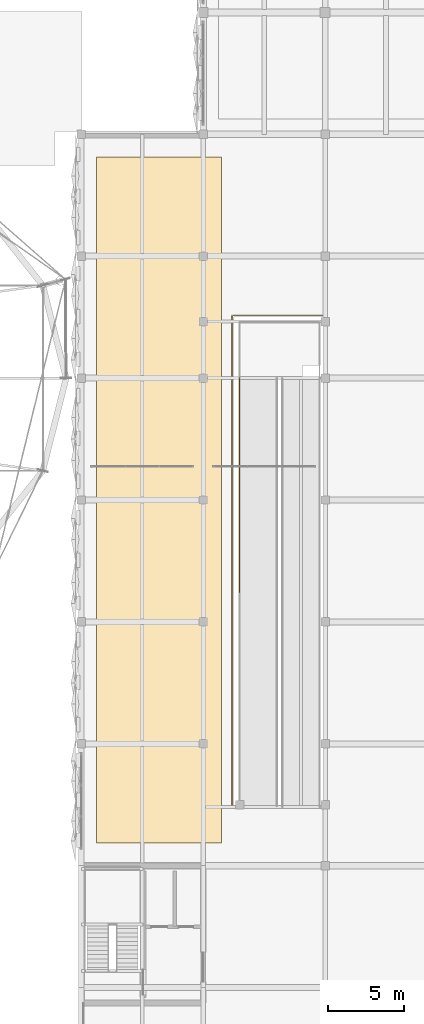
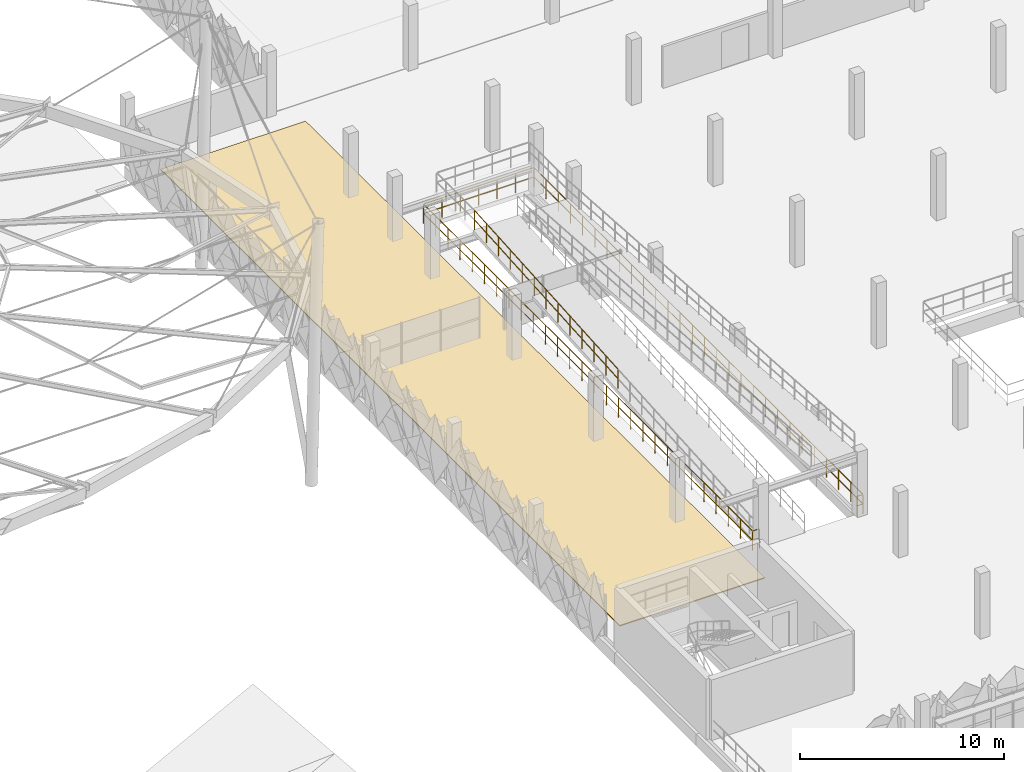
# One storey, part 90 of 96: 2 railings, 1 covering.
"""IFC4 building model written with IfcOpenShell, lengths in metres."""

from ifc_helpers import new_model, si_unit, derived_unit, direction, frame, origin, origin_2d, place, context, subcontext, project, spatial, polyline, circle, outline, extrude, material, layer, layer_set, type_object, element, save


model = new_model("IFC4")

# Units and contexts
model_context = context("Model", 3, precision=1e-05, world=origin(), true_north=direction((0.0, 1.0)))
body_context = subcontext(model_context, "Body", "Model", "MODEL_VIEW")
ifc_project = project(units=[si_unit("LENGTHUNIT", "METRE"), si_unit("AREAUNIT", "SQUARE_METRE"), si_unit("VOLUMEUNIT", "CUBIC_METRE"), si_unit("PLANEANGLEUNIT", "RADIAN"), si_unit("MASSUNIT", "GRAM", prefix="KILO"), si_unit("THERMODYNAMICTEMPERATUREUNIT", "KELVIN"), derived_unit("THERMALTRANSMITTANCEUNIT", [(si_unit("POWERUNIT", "WATT"), 1), (si_unit("AREAUNIT", "SQUARE_METRE"), -1), (si_unit("THERMODYNAMICTEMPERATUREUNIT", "KELVIN"), -1)])], contexts=[model_context])

# Site, building, storey
site_placement = place(None, origin())
site = spatial("IfcSite", under=ifc_project, at=site_placement, CompositionType="ELEMENT")
building_placement = place(site_placement, origin())
building = spatial("IfcBuilding", under=site, at=building_placement, Name="Haiyu Intermodal Mobility Hub", CompositionType="ELEMENT")
storey_placement = place(building_placement, frame((0.0, 0.0, 9.5)))
storey = spatial("IfcBuildingStorey", under=building, at=storey_placement, Name="L02", CompositionType="ELEMENT", Elevation=9.5)

# Covering
ifc_material_1 = material(Name="Anodised aluminium 6063-T6", Category="aluminium")
ifc_layer = layer(ifc_material_1, 0.06005859375)
ifc_layer_set = layer_set([ifc_layer], Name="Anodised aluminium 6063-T6")
covering_type = type_object("IfcCoveringType", Name="COV-CV02", PredefinedType="CLADDING", material=ifc_layer_set)
covering_placement = place(storey_placement, origin())
element("IfcCovering", 1, at=covering_placement, inside=storey, type_object=covering_type, Name="COV-FLR-005", PredefinedType="CLADDING", context=body_context, shape_type="SweptSolid", body=[
    extrude(outline(polyline([(155.0, 33.5), (163.199951171875, 33.5), (163.199951171875, 78.5), (155.0, 78.5), (155.0, 33.5)])), origin(), (0.0, 0.0, 1.0), 0.06005859375),
])

# Railings
ifc_material_2 = material(Name="Steel Q355C", Category="steel")
railing_type = type_object("IfcRailingType", Name="RAL-GR03", PredefinedType="GUARDRAIL", material=ifc_material_2)
railing_1_placement = place(storey_placement, frame((164.3798828125, 49.949951171875, 0.97509765625)))
element("IfcRailing", 2, at=railing_1_placement, inside=storey, type_object=railing_type, Name="RAL-RMP-BIKE-L02-F1WB", PredefinedType="GUARDRAIL", context=body_context, shape_type="SweptSolid", body=[
    extrude(circle(Radius=0.02392578125, at=origin_2d()), frame((0.0, 0.030029296875, 1.157958984375), z_axis=(0.0, 0.997601562369, 0.069217936689), x_axis=(-1.0, 0.0, 0.0)), (0.0, 0.0, 1.0), 14.02392578125),
    extrude(circle(Radius=0.02392578125, at=origin_2d()), frame((0.0, 0.037109375, 0.592529296875), z_axis=(0.0, 0.997601562369, 0.069217936689), x_axis=(-1.0, 0.0, 0.0)), (0.0, 0.0, 1.0), 1.09912109375),
    extrude(circle(Radius=0.02392578125, at=origin_2d()), frame((0.0, 1.2080078125, 0.673828125), z_axis=(0.0, 0.997601562369, 0.069217936689), x_axis=(-1.0, 0.0, 0.0)), (0.0, 0.0, 1.0), 1.09912109375),
    extrude(circle(Radius=0.02392578125, at=origin_2d()), frame((0.0, 2.37890625, 0.755126953125), z_axis=(0.0, 0.997601562369, 0.069217936689), x_axis=(-1.0, 0.0, 0.0)), (0.0, 0.0, 1.0), 1.09912109375),
    extrude(circle(Radius=0.02392578125, at=origin_2d()), frame((0.0, 3.5498046875, 0.836181640625), z_axis=(0.0, 0.997601562369, 0.069217936689), x_axis=(-1.0, 0.0, 0.0)), (0.0, 0.0, 1.0), 1.09912109375),
    extrude(circle(Radius=0.02392578125, at=origin_2d()), frame((0.0, 4.720458984375, 0.91748046875), z_axis=(0.0, 0.997601562369, 0.069217936689), x_axis=(-1.0, 0.0, 0.0)), (0.0, 0.0, 1.0), 1.09912109375),
    extrude(circle(Radius=0.02392578125, at=origin_2d()), frame((0.0, 5.891357421875, 0.998779296875), z_axis=(0.0, 0.997601562369, 0.069217936689), x_axis=(-1.0, 0.0, 0.0)), (0.0, 0.0, 1.0), 1.09912109375),
    extrude(circle(Radius=0.02392578125, at=origin_2d()), frame((0.0, 7.062255859375, 1.080078125), z_axis=(0.0, 0.997601562369, 0.069217936689), x_axis=(-1.0, 0.0, 0.0)), (0.0, 0.0, 1.0), 1.09912109375),
    extrude(circle(Radius=0.02392578125, at=origin_2d()), frame((0.0, 8.233154296875, 1.1611328125), z_axis=(0.0, 0.997601562369, 0.069217936689), x_axis=(-1.0, 0.0, 0.0)), (0.0, 0.0, 1.0), 1.09912109375),
    extrude(circle(Radius=0.02392578125, at=origin_2d()), frame((0.0, 9.40380859375, 1.242431640625), z_axis=(0.0, 0.997601562369, 0.069217936689), x_axis=(-1.0, 0.0, 0.0)), (0.0, 0.0, 1.0), 1.09912109375),
    extrude(circle(Radius=0.02392578125, at=origin_2d()), frame((0.0, 10.57470703125, 1.32373046875), z_axis=(0.0, 0.997601562369, 0.069217936689), x_axis=(-1.0, 0.0, 0.0)), (0.0, 0.0, 1.0), 1.09912109375),
    extrude(circle(Radius=0.02392578125, at=origin_2d()), frame((0.0, 11.74560546875, 1.405029296875), z_axis=(0.0, 0.997601562369, 0.069217936689), x_axis=(-1.0, 0.0, 0.0)), (0.0, 0.0, 1.0), 1.09912109375),
    extrude(circle(Radius=0.02392578125, at=origin_2d()), frame((0.0, 12.91650390625, 1.486083984375), z_axis=(0.0, 0.997601562369, 0.069217936689), x_axis=(-1.0, 0.0, 0.0)), (0.0, 0.0, 1.0), 1.09912109375),
    extrude(circle(Radius=0.02099609375, at=origin_2d()), origin(), (0.0, 0.0, 1.0), 1.123779296875),
    extrude(circle(Radius=0.02099609375, at=origin_2d()), frame((0.0, 1.1708984375, 0.081298828125)), (0.0, 0.0, 1.0), 1.123779296875),
    extrude(circle(Radius=0.02099609375, at=origin_2d()), frame((0.0, 2.341796875, 0.16259765625)), (0.0, 0.0, 1.0), 1.123779296875),
    extrude(circle(Radius=0.02099609375, at=origin_2d()), frame((0.0, 3.512451171875, 0.24365234375)), (0.0, 0.0, 1.0), 1.123779296875),
    extrude(circle(Radius=0.02099609375, at=origin_2d()), frame((0.0, 4.683349609375, 0.324951171875)), (0.0, 0.0, 1.0), 1.123779296875),
    extrude(circle(Radius=0.02099609375, at=origin_2d()), frame((0.0, 5.854248046875, 0.40625)), (0.0, 0.0, 1.0), 1.123779296875),
    extrude(circle(Radius=0.02099609375, at=origin_2d()), frame((0.0, 7.02490234375, 0.4873046875)), (0.0, 0.0, 1.0), 1.123779296875),
    extrude(circle(Radius=0.02099609375, at=origin_2d()), frame((0.0, 8.19580078125, 0.568603515625)), (0.0, 0.0, 1.0), 1.123779296875),
    extrude(circle(Radius=0.02099609375, at=origin_2d()), frame((0.0, 9.36669921875, 0.64990234375)), (0.0, 0.0, 1.0), 1.123779296875),
    extrude(circle(Radius=0.02099609375, at=origin_2d()), frame((0.0, 10.53759765625, 0.731201171875)), (0.0, 0.0, 1.0), 1.123779296875),
    extrude(circle(Radius=0.02099609375, at=origin_2d()), frame((0.0, 11.70849609375, 0.8125)), (0.0, 0.0, 1.0), 1.123779296875),
    extrude(circle(Radius=0.02099609375, at=origin_2d()), frame((0.0, 12.879150390625, 0.8935546875)), (0.0, 0.0, 1.0), 1.123779296875),
    extrude(circle(Radius=0.02099609375, at=origin_2d()), frame((0.0, 14.050048828125, 0.974853515625)), (0.0, 0.0, 1.0), 1.123779296875),
])
railing_2_placement = place(storey_placement, frame((164.260009765625, 35.8798828125, 0.0)))
element("IfcRailing", 3, at=railing_2_placement, inside=storey, type_object=railing_type, Name="RAL-BRMP-L02", PredefinedType="GUARDRAIL", context=body_context, shape_type="SweptSolid", body=[
    extrude(circle(Radius=0.02392578125, at=origin_2d()), frame((-0.030029296875, 0.0, 1.15576171875), z_axis=(-1.0, 0.0, 0.0), x_axis=(0.0, -1.0, 0.0)), (0.0, 0.0, 1.0), 0.320068359375),
    extrude(circle(Radius=0.02392578125, at=origin_2d()), frame((-0.037353515625, 0.0, 0.58984375), z_axis=(-1.0, 0.0, 0.0), x_axis=(0.0, -1.0, 0.0)), (0.0, 0.0, 1.0), 0.305419921875),
    extrude(circle(Radius=0.02392578125, at=origin_2d()), frame((-0.380126953125, 0.030029296875, 1.15576171875), z_axis=(0.0, 1.0, 0.0), x_axis=(-1.0, 0.0, 0.0)), (0.0, 0.0, 1.0), 32.18017578125),
    extrude(circle(Radius=0.02392578125, at=origin_2d()), frame((-0.380126953125, 0.037353515625, 0.58984375), z_axis=(0.0, 1.0, 0.0), x_axis=(-1.0, 0.0, 0.0)), (0.0, 0.0, 1.0), 1.119384765625),
    extrude(circle(Radius=0.02392578125, at=origin_2d()), frame((-0.380126953125, 1.2314453125, 0.58984375), z_axis=(0.0, 1.0, 0.0), x_axis=(-1.0, 0.0, 0.0)), (0.0, 0.0, 1.0), 1.119384765625),
    extrude(circle(Radius=0.02392578125, at=origin_2d()), frame((-0.380126953125, 2.425537109375, 0.58984375), z_axis=(0.0, 1.0, 0.0), x_axis=(-1.0, 0.0, 0.0)), (0.0, 0.0, 1.0), 1.119384765625),
    extrude(circle(Radius=0.02392578125, at=origin_2d()), frame((-0.380126953125, 3.61962890625, 0.58984375), z_axis=(0.0, 1.0, 0.0), x_axis=(-1.0, 0.0, 0.0)), (0.0, 0.0, 1.0), 1.119384765625),
    extrude(circle(Radius=0.02392578125, at=origin_2d()), frame((-0.380126953125, 4.813720703125, 0.58984375), z_axis=(0.0, 1.0, 0.0), x_axis=(-1.0, 0.0, 0.0)), (0.0, 0.0, 1.0), 1.119384765625),
    extrude(circle(Radius=0.02392578125, at=origin_2d()), frame((-0.380126953125, 6.0078125, 0.58984375), z_axis=(0.0, 1.0, 0.0), x_axis=(-1.0, 0.0, 0.0)), (0.0, 0.0, 1.0), 1.119384765625),
    extrude(circle(Radius=0.02392578125, at=origin_2d()), frame((-0.380126953125, 7.201904296875, 0.58984375), z_axis=(0.0, 1.0, 0.0), x_axis=(-1.0, 0.0, 0.0)), (0.0, 0.0, 1.0), 1.119384765625),
    extrude(circle(Radius=0.02392578125, at=origin_2d()), frame((-0.380126953125, 8.39599609375, 0.58984375), z_axis=(0.0, 1.0, 0.0), x_axis=(-1.0, 0.0, 0.0)), (0.0, 0.0, 1.0), 1.119384765625),
    extrude(circle(Radius=0.02392578125, at=origin_2d()), frame((-0.380126953125, 9.58984375, 0.58984375), z_axis=(0.0, 1.0, 0.0), x_axis=(-1.0, 0.0, 0.0)), (0.0, 0.0, 1.0), 1.119384765625),
    extrude(circle(Radius=0.02392578125, at=origin_2d()), frame((-0.380126953125, 10.783935546875, 0.58984375), z_axis=(0.0, 1.0, 0.0), x_axis=(-1.0, 0.0, 0.0)), (0.0, 0.0, 1.0), 1.119384765625),
    extrude(circle(Radius=0.02392578125, at=origin_2d()), frame((-0.380126953125, 11.97802734375, 0.58984375), z_axis=(0.0, 1.0, 0.0), x_axis=(-1.0, 0.0, 0.0)), (0.0, 0.0, 1.0), 1.119384765625),
    extrude(circle(Radius=0.02392578125, at=origin_2d()), frame((-0.380126953125, 13.172119140625, 0.58984375), z_axis=(0.0, 1.0, 0.0), x_axis=(-1.0, 0.0, 0.0)), (0.0, 0.0, 1.0), 1.119384765625),
    extrude(circle(Radius=0.02392578125, at=origin_2d()), frame((-0.380126953125, 14.3662109375, 0.58984375), z_axis=(0.0, 1.0, 0.0), x_axis=(-1.0, 0.0, 0.0)), (0.0, 0.0, 1.0), 1.119384765625),
    extrude(circle(Radius=0.02392578125, at=origin_2d()), frame((-0.380126953125, 15.560302734375, 0.58984375), z_axis=(0.0, 1.0, 0.0), x_axis=(-1.0, 0.0, 0.0)), (0.0, 0.0, 1.0), 1.119384765625),
    extrude(circle(Radius=0.02392578125, at=origin_2d()), frame((-0.380126953125, 16.75439453125, 0.58984375), z_axis=(0.0, 1.0, 0.0), x_axis=(-1.0, 0.0, 0.0)), (0.0, 0.0, 1.0), 1.119384765625),
    extrude(circle(Radius=0.02392578125, at=origin_2d()), frame((-0.380126953125, 17.948486328125, 0.58984375), z_axis=(0.0, 1.0, 0.0), x_axis=(-1.0, 0.0, 0.0)), (0.0, 0.0, 1.0), 1.119384765625),
    extrude(circle(Radius=0.02392578125, at=origin_2d()), frame((-0.380126953125, 19.142578125, 0.58984375), z_axis=(0.0, 1.0, 0.0), x_axis=(-1.0, 0.0, 0.0)), (0.0, 0.0, 1.0), 1.119384765625),
    extrude(circle(Radius=0.02392578125, at=origin_2d()), frame((-0.380126953125, 20.336669921875, 0.58984375), z_axis=(0.0, 1.0, 0.0), x_axis=(-1.0, 0.0, 0.0)), (0.0, 0.0, 1.0), 1.119384765625),
    extrude(circle(Radius=0.02392578125, at=origin_2d()), frame((-0.380126953125, 21.53076171875, 0.58984375), z_axis=(0.0, 1.0, 0.0), x_axis=(-1.0, 0.0, 0.0)), (0.0, 0.0, 1.0), 1.119384765625),
    extrude(circle(Radius=0.02392578125, at=origin_2d()), frame((-0.380126953125, 22.724853515625, 0.58984375), z_axis=(0.0, 1.0, 0.0), x_axis=(-1.0, 0.0, 0.0)), (0.0, 0.0, 1.0), 1.119384765625),
    extrude(circle(Radius=0.02392578125, at=origin_2d()), frame((-0.380126953125, 23.9189453125, 0.58984375), z_axis=(0.0, 1.0, 0.0), x_axis=(-1.0, 0.0, 0.0)), (0.0, 0.0, 1.0), 1.119384765625),
    extrude(circle(Radius=0.02392578125, at=origin_2d()), frame((-0.380126953125, 25.113037109375, 0.58984375), z_axis=(0.0, 1.0, 0.0), x_axis=(-1.0, 0.0, 0.0)), (0.0, 0.0, 1.0), 1.119384765625),
    extrude(circle(Radius=0.02392578125, at=origin_2d()), frame((-0.380126953125, 26.30712890625, 0.58984375), z_axis=(0.0, 1.0, 0.0), x_axis=(-1.0, 0.0, 0.0)), (0.0, 0.0, 1.0), 1.119384765625),
    extrude(circle(Radius=0.02392578125, at=origin_2d()), frame((-0.380126953125, 27.501220703125, 0.58984375), z_axis=(0.0, 1.0, 0.0), x_axis=(-1.0, 0.0, 0.0)), (0.0, 0.0, 1.0), 1.119384765625),
    extrude(circle(Radius=0.02392578125, at=origin_2d()), frame((-0.380126953125, 28.6953125, 0.58984375), z_axis=(0.0, 1.0, 0.0), x_axis=(-1.0, 0.0, 0.0)), (0.0, 0.0, 1.0), 1.119384765625),
    extrude(circle(Radius=0.02392578125, at=origin_2d()), frame((-0.380126953125, 29.889404296875, 0.58984375), z_axis=(0.0, 1.0, 0.0), x_axis=(-1.0, 0.0, 0.0)), (0.0, 0.0, 1.0), 1.119384765625),
    extrude(circle(Radius=0.02392578125, at=origin_2d()), frame((-0.380126953125, 31.08349609375, 0.58984375), z_axis=(0.0, 1.0, 0.0), x_axis=(-1.0, 0.0, 0.0)), (0.0, 0.0, 1.0), 1.119384765625),
    extrude(circle(Radius=0.02392578125, at=origin_2d()), frame((-0.35009765625, 32.240234375, 1.15576171875), z_axis=(1.0, 0.0, 0.0), x_axis=(0.0, 1.0, 0.0)), (0.0, 0.0, 1.0), 6.18017578125),
    extrude(circle(Radius=0.02392578125, at=origin_2d()), frame((-0.3427734375, 32.240234375, 0.58984375), z_axis=(1.0, 0.0, 0.0), x_axis=(0.0, 1.0, 0.0)), (0.0, 0.0, 1.0), 0.96533203125),
    extrude(circle(Radius=0.02392578125, at=origin_2d()), frame((0.697265625, 32.240234375, 0.58984375), z_axis=(1.0, 0.0, 0.0), x_axis=(0.0, 1.0, 0.0)), (0.0, 0.0, 1.0), 0.96533203125),
    extrude(circle(Radius=0.02392578125, at=origin_2d()), frame((1.7373046875, 32.240234375, 0.58984375), z_axis=(1.0, 0.0, 0.0), x_axis=(0.0, 1.0, 0.0)), (0.0, 0.0, 1.0), 0.96533203125),
    extrude(circle(Radius=0.02392578125, at=origin_2d()), frame((2.77734375, 32.240234375, 0.58984375), z_axis=(1.0, 0.0, 0.0), x_axis=(0.0, 1.0, 0.0)), (0.0, 0.0, 1.0), 0.96533203125),
    extrude(circle(Radius=0.02392578125, at=origin_2d()), frame((3.8173828125, 32.240234375, 0.58984375), z_axis=(1.0, 0.0, 0.0), x_axis=(0.0, 1.0, 0.0)), (0.0, 0.0, 1.0), 0.96533203125),
    extrude(circle(Radius=0.02392578125, at=origin_2d()), frame((4.857421875, 32.240234375, 0.58984375), z_axis=(1.0, 0.0, 0.0), x_axis=(0.0, 1.0, 0.0)), (0.0, 0.0, 1.0), 0.96533203125),
    extrude(circle(Radius=0.02392578125, at=origin_2d()), frame((5.860107421875, 32.210205078125, 1.15576171875), z_axis=(0.0, -1.0, 0.0), x_axis=(1.0, 0.0, 0.0)), (0.0, 0.0, 1.0), 32.18017578125),
    extrude(circle(Radius=0.02392578125, at=origin_2d()), frame((5.860107421875, 32.202880859375, 0.58984375), z_axis=(0.0, -1.0, 0.0), x_axis=(1.0, 0.0, 0.0)), (0.0, 0.0, 1.0), 1.119384765625),
    extrude(circle(Radius=0.02392578125, at=origin_2d()), frame((5.860107421875, 31.0087890625, 0.58984375), z_axis=(0.0, -1.0, 0.0), x_axis=(1.0, 0.0, 0.0)), (0.0, 0.0, 1.0), 1.119384765625),
    extrude(circle(Radius=0.02392578125, at=origin_2d()), frame((5.860107421875, 29.814697265625, 0.58984375), z_axis=(0.0, -1.0, 0.0), x_axis=(1.0, 0.0, 0.0)), (0.0, 0.0, 1.0), 1.119384765625),
    extrude(circle(Radius=0.02392578125, at=origin_2d()), frame((5.860107421875, 28.62060546875, 0.58984375), z_axis=(0.0, -1.0, 0.0), x_axis=(1.0, 0.0, 0.0)), (0.0, 0.0, 1.0), 1.119384765625),
    extrude(circle(Radius=0.02392578125, at=origin_2d()), frame((5.860107421875, 27.426513671875, 0.58984375), z_axis=(0.0, -1.0, 0.0), x_axis=(1.0, 0.0, 0.0)), (0.0, 0.0, 1.0), 1.119384765625),
    extrude(circle(Radius=0.02392578125, at=origin_2d()), frame((5.860107421875, 26.232421875, 0.58984375), z_axis=(0.0, -1.0, 0.0), x_axis=(1.0, 0.0, 0.0)), (0.0, 0.0, 1.0), 1.119384765625),
    extrude(circle(Radius=0.02392578125, at=origin_2d()), frame((5.860107421875, 25.038330078125, 0.58984375), z_axis=(0.0, -1.0, 0.0), x_axis=(1.0, 0.0, 0.0)), (0.0, 0.0, 1.0), 1.119384765625),
    extrude(circle(Radius=0.02392578125, at=origin_2d()), frame((5.860107421875, 23.84423828125, 0.58984375), z_axis=(0.0, -1.0, 0.0), x_axis=(1.0, 0.0, 0.0)), (0.0, 0.0, 1.0), 1.119384765625),
    extrude(circle(Radius=0.02392578125, at=origin_2d()), frame((5.860107421875, 22.650390625, 0.58984375), z_axis=(0.0, -1.0, 0.0), x_axis=(1.0, 0.0, 0.0)), (0.0, 0.0, 1.0), 1.119384765625),
    extrude(circle(Radius=0.02392578125, at=origin_2d()), frame((5.860107421875, 21.456298828125, 0.58984375), z_axis=(0.0, -1.0, 0.0), x_axis=(1.0, 0.0, 0.0)), (0.0, 0.0, 1.0), 1.119384765625),
    extrude(circle(Radius=0.02392578125, at=origin_2d()), frame((5.860107421875, 20.26220703125, 0.58984375), z_axis=(0.0, -1.0, 0.0), x_axis=(1.0, 0.0, 0.0)), (0.0, 0.0, 1.0), 1.119384765625),
    extrude(circle(Radius=0.02392578125, at=origin_2d()), frame((5.860107421875, 19.068115234375, 0.58984375), z_axis=(0.0, -1.0, 0.0), x_axis=(1.0, 0.0, 0.0)), (0.0, 0.0, 1.0), 1.119384765625),
    extrude(circle(Radius=0.02392578125, at=origin_2d()), frame((5.860107421875, 17.8740234375, 0.58984375), z_axis=(0.0, -1.0, 0.0), x_axis=(1.0, 0.0, 0.0)), (0.0, 0.0, 1.0), 1.119384765625),
    extrude(circle(Radius=0.02392578125, at=origin_2d()), frame((5.860107421875, 16.679931640625, 0.58984375), z_axis=(0.0, -1.0, 0.0), x_axis=(1.0, 0.0, 0.0)), (0.0, 0.0, 1.0), 1.119384765625),
    extrude(circle(Radius=0.02392578125, at=origin_2d()), frame((5.860107421875, 15.48583984375, 0.58984375), z_axis=(0.0, -1.0, 0.0), x_axis=(1.0, 0.0, 0.0)), (0.0, 0.0, 1.0), 1.119384765625),
    extrude(circle(Radius=0.02392578125, at=origin_2d()), frame((5.860107421875, 14.291748046875, 0.58984375), z_axis=(0.0, -1.0, 0.0), x_axis=(1.0, 0.0, 0.0)), (0.0, 0.0, 1.0), 1.119384765625),
    extrude(circle(Radius=0.02392578125, at=origin_2d()), frame((5.860107421875, 13.09765625, 0.58984375), z_axis=(0.0, -1.0, 0.0), x_axis=(1.0, 0.0, 0.0)), (0.0, 0.0, 1.0), 1.119384765625),
    extrude(circle(Radius=0.02392578125, at=origin_2d()), frame((5.860107421875, 11.903564453125, 0.58984375), z_axis=(0.0, -1.0, 0.0), x_axis=(1.0, 0.0, 0.0)), (0.0, 0.0, 1.0), 1.119384765625),
    extrude(circle(Radius=0.02392578125, at=origin_2d()), frame((5.860107421875, 10.70947265625, 0.58984375), z_axis=(0.0, -1.0, 0.0), x_axis=(1.0, 0.0, 0.0)), (0.0, 0.0, 1.0), 1.119384765625),
    extrude(circle(Radius=0.02392578125, at=origin_2d()), frame((5.860107421875, 9.515380859375, 0.58984375), z_axis=(0.0, -1.0, 0.0), x_axis=(1.0, 0.0, 0.0)), (0.0, 0.0, 1.0), 1.119384765625),
    extrude(circle(Radius=0.02392578125, at=origin_2d()), frame((5.860107421875, 8.3212890625, 0.58984375), z_axis=(0.0, -1.0, 0.0), x_axis=(1.0, 0.0, 0.0)), (0.0, 0.0, 1.0), 1.119384765625),
    extrude(circle(Radius=0.02392578125, at=origin_2d()), frame((5.860107421875, 7.127197265625, 0.58984375), z_axis=(0.0, -1.0, 0.0), x_axis=(1.0, 0.0, 0.0)), (0.0, 0.0, 1.0), 1.119384765625),
    extrude(circle(Radius=0.02392578125, at=origin_2d()), frame((5.860107421875, 5.93310546875, 0.58984375), z_axis=(0.0, -1.0, 0.0), x_axis=(1.0, 0.0, 0.0)), (0.0, 0.0, 1.0), 1.119384765625),
    extrude(circle(Radius=0.02392578125, at=origin_2d()), frame((5.860107421875, 4.739013671875, 0.58984375), z_axis=(0.0, -1.0, 0.0), x_axis=(1.0, 0.0, 0.0)), (0.0, 0.0, 1.0), 1.119384765625),
    extrude(circle(Radius=0.02392578125, at=origin_2d()), frame((5.860107421875, 3.544921875, 0.58984375), z_axis=(0.0, -1.0, 0.0), x_axis=(1.0, 0.0, 0.0)), (0.0, 0.0, 1.0), 1.119384765625),
    extrude(circle(Radius=0.02392578125, at=origin_2d()), frame((5.860107421875, 2.350830078125, 0.58984375), z_axis=(0.0, -1.0, 0.0), x_axis=(1.0, 0.0, 0.0)), (0.0, 0.0, 1.0), 1.119384765625),
    extrude(circle(Radius=0.02392578125, at=origin_2d()), frame((5.860107421875, 1.15673828125, 0.58984375), z_axis=(0.0, -1.0, 0.0), x_axis=(1.0, 0.0, 0.0)), (0.0, 0.0, 1.0), 1.119384765625),
    extrude(circle(Radius=0.02392578125, at=origin_2d()), frame((5.830078125, 0.0, 1.15576171875), z_axis=(-1.0, 0.0, 0.0), x_axis=(0.0, -1.0, 0.0)), (0.0, 0.0, 1.0), 0.320068359375),
    extrude(circle(Radius=0.02392578125, at=origin_2d()), frame((5.82275390625, 0.0, 0.58984375), z_axis=(-1.0, 0.0, 0.0), x_axis=(0.0, -1.0, 0.0)), (0.0, 0.0, 1.0), 0.305419921875),
    extrude(circle(Radius=0.02099609375, at=origin_2d()), origin(), (0.0, 0.0, 1.0), 1.123779296875),
    extrude(circle(Radius=0.02099609375, at=origin_2d()), frame((-0.380126953125, 0.0, 0.0)), (0.0, 0.0, 1.0), 1.123779296875),
    extrude(circle(Radius=0.02099609375, at=origin_2d()), frame((-0.380126953125, 1.194091796875, 0.0)), (0.0, 0.0, 1.0), 1.123779296875),
    extrude(circle(Radius=0.02099609375, at=origin_2d()), frame((-0.380126953125, 2.38818359375, 0.0)), (0.0, 0.0, 1.0), 1.123779296875),
    extrude(circle(Radius=0.02099609375, at=origin_2d()), frame((-0.380126953125, 3.582275390625, 0.0)), (0.0, 0.0, 1.0), 1.123779296875),
    extrude(circle(Radius=0.02099609375, at=origin_2d()), frame((-0.380126953125, 4.7763671875, 0.0)), (0.0, 0.0, 1.0), 1.123779296875),
    extrude(circle(Radius=0.02099609375, at=origin_2d()), frame((-0.380126953125, 5.970458984375, 0.0)), (0.0, 0.0, 1.0), 1.123779296875),
    extrude(circle(Radius=0.02099609375, at=origin_2d()), frame((-0.380126953125, 7.16455078125, 0.0)), (0.0, 0.0, 1.0), 1.123779296875),
    extrude(circle(Radius=0.02099609375, at=origin_2d()), frame((-0.380126953125, 8.358642578125, 0.0)), (0.0, 0.0, 1.0), 1.123779296875),
    extrude(circle(Radius=0.02099609375, at=origin_2d()), frame((-0.380126953125, 9.552734375, 0.0)), (0.0, 0.0, 1.0), 1.123779296875),
    extrude(circle(Radius=0.02099609375, at=origin_2d()), frame((-0.380126953125, 10.746826171875, 0.0)), (0.0, 0.0, 1.0), 1.123779296875),
    extrude(circle(Radius=0.02099609375, at=origin_2d()), frame((-0.380126953125, 11.94091796875, 0.0)), (0.0, 0.0, 1.0), 1.123779296875),
    extrude(circle(Radius=0.02099609375, at=origin_2d()), frame((-0.380126953125, 13.135009765625, 0.0)), (0.0, 0.0, 1.0), 1.123779296875),
    extrude(circle(Radius=0.02099609375, at=origin_2d()), frame((-0.380126953125, 14.3291015625, 0.0)), (0.0, 0.0, 1.0), 1.123779296875),
    extrude(circle(Radius=0.02099609375, at=origin_2d()), frame((-0.380126953125, 15.523193359375, 0.0)), (0.0, 0.0, 1.0), 1.123779296875),
    extrude(circle(Radius=0.02099609375, at=origin_2d()), frame((-0.380126953125, 16.717041015625, 0.0)), (0.0, 0.0, 1.0), 1.123779296875),
    extrude(circle(Radius=0.02099609375, at=origin_2d()), frame((-0.380126953125, 17.9111328125, 0.0)), (0.0, 0.0, 1.0), 1.123779296875),
    extrude(circle(Radius=0.02099609375, at=origin_2d()), frame((-0.380126953125, 19.105224609375, 0.0)), (0.0, 0.0, 1.0), 1.123779296875),
    extrude(circle(Radius=0.02099609375, at=origin_2d()), frame((-0.380126953125, 20.29931640625, 0.0)), (0.0, 0.0, 1.0), 1.123779296875),
    extrude(circle(Radius=0.02099609375, at=origin_2d()), frame((-0.380126953125, 21.493408203125, 0.0)), (0.0, 0.0, 1.0), 1.123779296875),
    extrude(circle(Radius=0.02099609375, at=origin_2d()), frame((-0.380126953125, 22.6875, 0.0)), (0.0, 0.0, 1.0), 1.123779296875),
    extrude(circle(Radius=0.02099609375, at=origin_2d()), frame((-0.380126953125, 23.881591796875, 0.0)), (0.0, 0.0, 1.0), 1.123779296875),
    extrude(circle(Radius=0.02099609375, at=origin_2d()), frame((-0.380126953125, 25.07568359375, 0.0)), (0.0, 0.0, 1.0), 1.123779296875),
    extrude(circle(Radius=0.02099609375, at=origin_2d()), frame((-0.380126953125, 26.269775390625, 0.0)), (0.0, 0.0, 1.0), 1.123779296875),
    extrude(circle(Radius=0.02099609375, at=origin_2d()), frame((-0.380126953125, 27.4638671875, 0.0)), (0.0, 0.0, 1.0), 1.123779296875),
    extrude(circle(Radius=0.02099609375, at=origin_2d()), frame((-0.380126953125, 28.657958984375, 0.0)), (0.0, 0.0, 1.0), 1.123779296875),
    extrude(circle(Radius=0.02099609375, at=origin_2d()), frame((-0.380126953125, 29.85205078125, 0.0)), (0.0, 0.0, 1.0), 1.123779296875),
    extrude(circle(Radius=0.02099609375, at=origin_2d()), frame((-0.380126953125, 31.046142578125, 0.0)), (0.0, 0.0, 1.0), 1.123779296875),
    extrude(circle(Radius=0.02099609375, at=origin_2d()), frame((-0.380126953125, 32.240234375, 0.0)), (0.0, 0.0, 1.0), 1.123779296875),
    extrude(circle(Radius=0.02099609375, at=origin_2d()), frame((0.659912109375, 32.240234375, 0.0)), (0.0, 0.0, 1.0), 1.123779296875),
    extrude(circle(Radius=0.02099609375, at=origin_2d()), frame((1.699951171875, 32.240234375, 0.0)), (0.0, 0.0, 1.0), 1.123779296875),
    extrude(circle(Radius=0.02099609375, at=origin_2d()), frame((2.739990234375, 32.240234375, 0.0)), (0.0, 0.0, 1.0), 1.123779296875),
    extrude(circle(Radius=0.02099609375, at=origin_2d()), frame((3.780029296875, 32.240234375, 0.0)), (0.0, 0.0, 1.0), 1.123779296875),
    extrude(circle(Radius=0.02099609375, at=origin_2d()), frame((4.820068359375, 32.240234375, 0.0)), (0.0, 0.0, 1.0), 1.123779296875),
    extrude(circle(Radius=0.02099609375, at=origin_2d()), frame((5.860107421875, 32.240234375, 0.0)), (0.0, 0.0, 1.0), 1.123779296875),
    extrude(circle(Radius=0.02099609375, at=origin_2d()), frame((5.860107421875, 31.046142578125, 0.0)), (0.0, 0.0, 1.0), 1.123779296875),
    extrude(circle(Radius=0.02099609375, at=origin_2d()), frame((5.860107421875, 29.85205078125, 0.0)), (0.0, 0.0, 1.0), 1.123779296875),
    extrude(circle(Radius=0.02099609375, at=origin_2d()), frame((5.860107421875, 28.657958984375, 0.0)), (0.0, 0.0, 1.0), 1.123779296875),
    extrude(circle(Radius=0.02099609375, at=origin_2d()), frame((5.860107421875, 27.4638671875, 0.0)), (0.0, 0.0, 1.0), 1.123779296875),
    extrude(circle(Radius=0.02099609375, at=origin_2d()), frame((5.860107421875, 26.269775390625, 0.0)), (0.0, 0.0, 1.0), 1.123779296875),
    extrude(circle(Radius=0.02099609375, at=origin_2d()), frame((5.860107421875, 25.07568359375, 0.0)), (0.0, 0.0, 1.0), 1.123779296875),
    extrude(circle(Radius=0.02099609375, at=origin_2d()), frame((5.860107421875, 23.881591796875, 0.0)), (0.0, 0.0, 1.0), 1.123779296875),
    extrude(circle(Radius=0.02099609375, at=origin_2d()), frame((5.860107421875, 22.6875, 0.0)), (0.0, 0.0, 1.0), 1.123779296875),
    extrude(circle(Radius=0.02099609375, at=origin_2d()), frame((5.860107421875, 21.493408203125, 0.0)), (0.0, 0.0, 1.0), 1.123779296875),
    extrude(circle(Radius=0.02099609375, at=origin_2d()), frame((5.860107421875, 20.29931640625, 0.0)), (0.0, 0.0, 1.0), 1.123779296875),
    extrude(circle(Radius=0.02099609375, at=origin_2d()), frame((5.860107421875, 19.105224609375, 0.0)), (0.0, 0.0, 1.0), 1.123779296875),
    extrude(circle(Radius=0.02099609375, at=origin_2d()), frame((5.860107421875, 17.9111328125, 0.0)), (0.0, 0.0, 1.0), 1.123779296875),
    extrude(circle(Radius=0.02099609375, at=origin_2d()), frame((5.860107421875, 16.717041015625, 0.0)), (0.0, 0.0, 1.0), 1.123779296875),
    extrude(circle(Radius=0.02099609375, at=origin_2d()), frame((5.860107421875, 15.523193359375, 0.0)), (0.0, 0.0, 1.0), 1.123779296875),
    extrude(circle(Radius=0.02099609375, at=origin_2d()), frame((5.860107421875, 14.3291015625, 0.0)), (0.0, 0.0, 1.0), 1.123779296875),
    extrude(circle(Radius=0.02099609375, at=origin_2d()), frame((5.860107421875, 13.135009765625, 0.0)), (0.0, 0.0, 1.0), 1.123779296875),
    extrude(circle(Radius=0.02099609375, at=origin_2d()), frame((5.860107421875, 11.94091796875, 0.0)), (0.0, 0.0, 1.0), 1.123779296875),
    extrude(circle(Radius=0.02099609375, at=origin_2d()), frame((5.860107421875, 10.746826171875, 0.0)), (0.0, 0.0, 1.0), 1.123779296875),
    extrude(circle(Radius=0.02099609375, at=origin_2d()), frame((5.860107421875, 9.552734375, 0.0)), (0.0, 0.0, 1.0), 1.123779296875),
    extrude(circle(Radius=0.02099609375, at=origin_2d()), frame((5.860107421875, 8.358642578125, 0.0)), (0.0, 0.0, 1.0), 1.123779296875),
    extrude(circle(Radius=0.02099609375, at=origin_2d()), frame((5.860107421875, 7.16455078125, 0.0)), (0.0, 0.0, 1.0), 1.123779296875),
    extrude(circle(Radius=0.02099609375, at=origin_2d()), frame((5.860107421875, 5.970458984375, 0.0)), (0.0, 0.0, 1.0), 1.123779296875),
    extrude(circle(Radius=0.02099609375, at=origin_2d()), frame((5.860107421875, 4.7763671875, 0.0)), (0.0, 0.0, 1.0), 1.123779296875),
    extrude(circle(Radius=0.02099609375, at=origin_2d()), frame((5.860107421875, 3.582275390625, 0.0)), (0.0, 0.0, 1.0), 1.123779296875),
    extrude(circle(Radius=0.02099609375, at=origin_2d()), frame((5.860107421875, 2.38818359375, 0.0)), (0.0, 0.0, 1.0), 1.123779296875),
    extrude(circle(Radius=0.02099609375, at=origin_2d()), frame((5.860107421875, 1.194091796875, 0.0)), (0.0, 0.0, 1.0), 1.123779296875),
    extrude(circle(Radius=0.02099609375, at=origin_2d()), frame((5.860107421875, 0.0, 0.0)), (0.0, 0.0, 1.0), 1.123779296875),
    extrude(circle(Radius=0.02099609375, at=origin_2d()), frame((5.47998046875, 0.0, 0.0)), (0.0, 0.0, 1.0), 1.123779296875),
])

save(model, "model.ifc")
